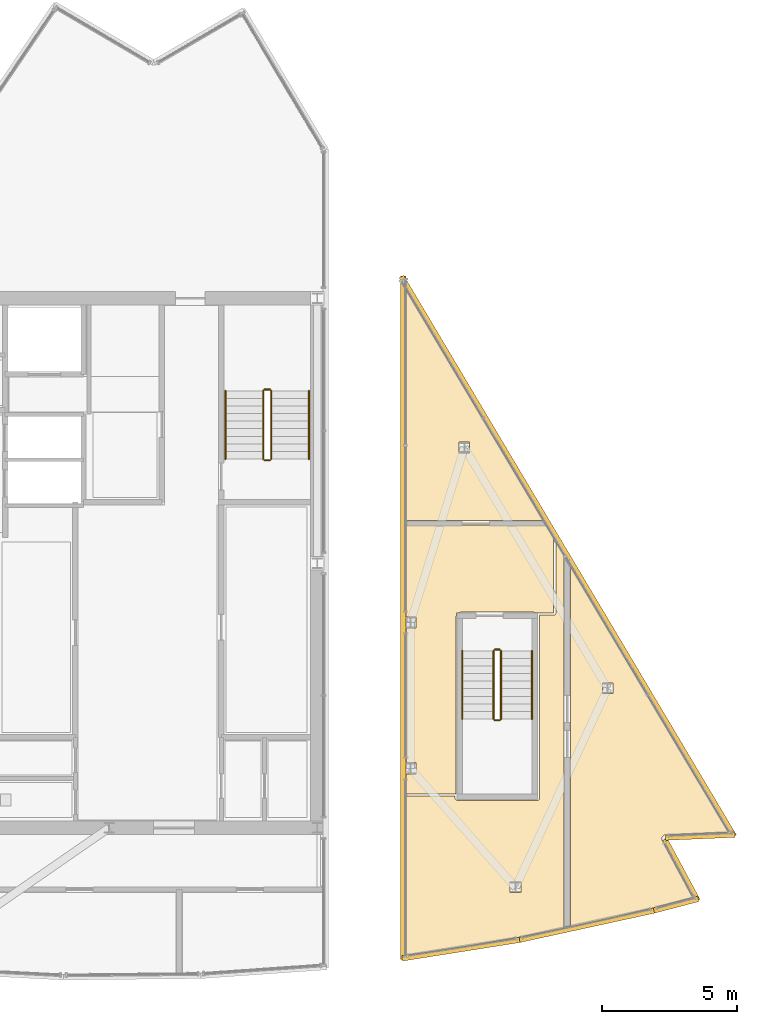
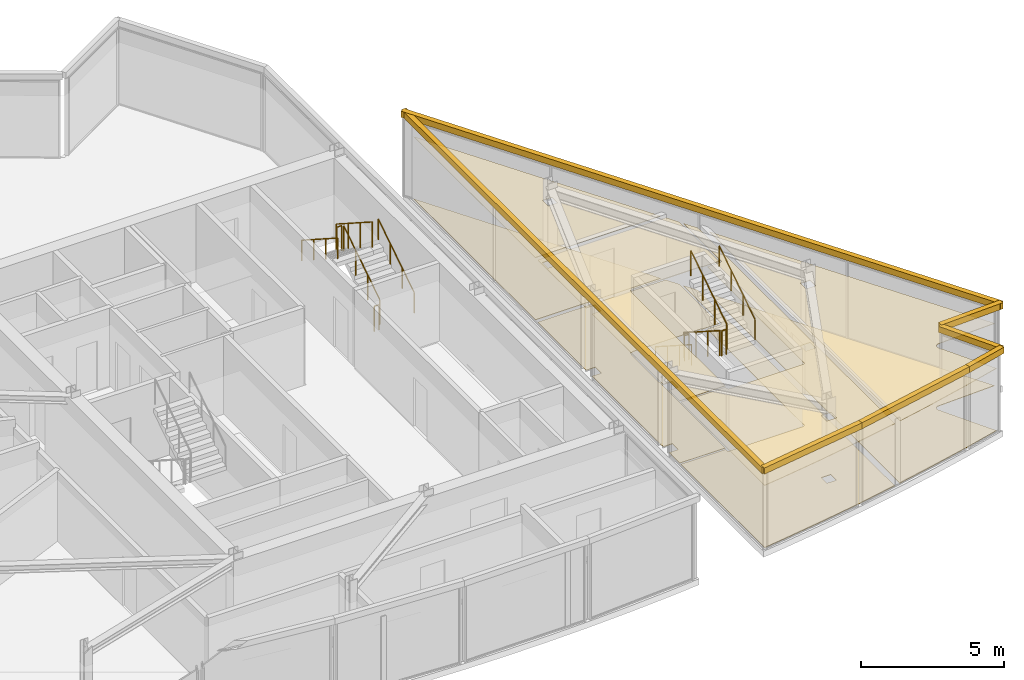
# One storey, part 13 of 15: 15 coverings, 12 railings.
"""IFC4 building model written with IfcOpenShell, lengths in metres."""

import ifcopenshell
import ifcopenshell.guid

model = None  # the IFC model being written
_history = None  # IfcOwnerHistory: only IFC2X3 demands one
_inside = {}  # id of a spatial element -> (the spatial element, [elements in it])
_under = {}  # id of a project, library or spatial element -> (it, [spatial elements below it])
_declared = {}  # id of a project -> (the project, [libraries it declares])
_typed = {}  # id of a type object -> (the type object, [elements of that type])
_made_of = {}  # id of a material, layer set ... -> (it, [elements and type objects made of it])


def new_model(schema):
    """Start an empty IFC model of exactly this schema.

    Asked for "IFC4X3", IfcOpenShell would pick the latest addendum, in which some entities
    have other attributes; the version numbers below select the first issue.
    IFC2X3 requires an IfcOwnerHistory on every rooted entity: one is made here for all.
    """
    global model, _history
    if schema == "IFC4X3":
        model = ifcopenshell.file(schema_version=(4, 3, 0, 0))
    else:
        model = ifcopenshell.file(schema=schema)
    _inside.clear()
    _under.clear()
    _declared.clear()
    _typed.clear()
    _made_of.clear()
    _history = None
    if model.schema == "IFC2X3":
        org = make("IfcOrganization", Name="unknown")
        user = make(
            "IfcPersonAndOrganization",
            ThePerson=make("IfcPerson", FamilyName="unknown"),
            TheOrganization=org,
        )
        app = make(
            "IfcApplication",
            ApplicationDeveloper=org,
            Version="unknown",
            ApplicationFullName="unknown",
            ApplicationIdentifier="unknown",
        )
        _history = make(
            "IfcOwnerHistory",
            OwningUser=user,
            OwningApplication=app,
            ChangeAction="ADDED",
            CreationDate=0,
        )
    return model


def make(cls, **values):
    """One entity of the class cls with the attributes given. An attribute that is None is left unset."""
    return model.create_entity(
        cls, **{name: value for name, value in values.items() if value is not None}
    )


def rooted(cls, **values):
    """An entity with a GlobalId (a new one), such as an element, a storey or a relation."""
    return make(cls, GlobalId=ifcopenshell.guid.new(), OwnerHistory=_history, **values)


def si_unit(unit_type, name, prefix=None):
    """IfcSIUnit, for example si_unit("LENGTHUNIT", "METRE", prefix="MILLI")."""
    return make("IfcSIUnit", UnitType=unit_type, Prefix=prefix, Name=name)


def assignment(units):
    """IfcUnitAssignment: the units of a project."""
    return None if units is None else make("IfcUnitAssignment", Units=units)


def point(xyz):
    """IfcCartesianPoint."""
    return None if xyz is None else make("IfcCartesianPoint", Coordinates=xyz)


def direction(xyz):
    """IfcDirection."""
    return None if xyz is None else make("IfcDirection", DirectionRatios=xyz)


def frame(location, z_axis=None, x_axis=None):
    """IfcAxis2Placement3D, a coordinate frame: its origin and axes. An axis left out is left unset."""
    return make(
        "IfcAxis2Placement3D",
        Location=point(location),
        Axis=direction(z_axis),
        RefDirection=direction(x_axis),
    )


def frame_2d(location, x_axis=None):
    """IfcAxis2Placement2D, a coordinate frame in the plane: its origin and x axis."""
    return make(
        "IfcAxis2Placement2D", Location=point(location), RefDirection=direction(x_axis)
    )


def origin():
    """The frame at (0, 0, 0) with its axes left unset."""
    return frame((0.0, 0.0, 0.0))


def origin_2d():
    """The frame at (0, 0) in the plane with its x axis left unset."""
    return frame_2d((0.0, 0.0))


def place(relative_to, where):
    """IfcLocalPlacement: puts the frame where relative to a parent placement (None: the world)."""
    return make(
        "IfcLocalPlacement", PlacementRelTo=relative_to, RelativePlacement=where
    )


def context(
    kind, dimensions, precision=None, world=None, true_north=None, identifier=None
):
    """IfcGeometricRepresentationContext, for example the 3D "Model" context."""
    return make(
        "IfcGeometricRepresentationContext",
        ContextIdentifier=identifier,
        ContextType=kind,
        CoordinateSpaceDimension=dimensions,
        Precision=precision,
        WorldCoordinateSystem=world,
        TrueNorth=true_north,
    )


def subcontext(parent, identifier, kind, view, scale=None):
    """IfcGeometricRepresentationSubContext, for example "Body" below "Model"."""
    return make(
        "IfcGeometricRepresentationSubContext",
        ContextIdentifier=identifier,
        ContextType=kind,
        ParentContext=parent,
        TargetScale=scale,
        TargetView=view,
    )


def project(units=None, contexts=None):
    """IfcProject with its units and contexts."""
    return rooted(
        "IfcProject",
        Name="project",
        RepresentationContexts=contexts,
        UnitsInContext=assignment(units),
    )


def spatial(cls, under=None, at=None, **own):
    """A site, building, storey or space (cls), placed at a placement, below another one or the project."""
    s = rooted(cls, ObjectPlacement=at, **own)
    if under is not None:
        _under.setdefault(under.id(), (under, []))[1].append(s)
    return s


def polyline(points):
    """IfcPolyline through the points."""
    return make("IfcPolyline", Points=[point(p) for p in points])


def profile(cls, at=None, kind="AREA", **sizes):
    """A parametric profile (cls). Its sizes go by their IFC names, for example OverallWidth=200.0."""
    return make(cls, ProfileType=kind, Position=at, **sizes)


def circle(**sizes):
    """IfcCircleProfileDef."""
    return profile("IfcCircleProfileDef", **sizes)


def outline(outer, holes=None, kind="AREA"):
    """IfcArbitraryClosedProfileDef: a profile drawn as a closed curve; with holes, ...WithVoids."""
    if holes is None:
        return make("IfcArbitraryClosedProfileDef", ProfileType=kind, OuterCurve=outer)
    return make(
        "IfcArbitraryProfileDefWithVoids",
        ProfileType=kind,
        OuterCurve=outer,
        InnerCurves=holes,
    )


def extrude(swept, where, along, depth):
    """IfcExtrudedAreaSolid: the profile swept, set in the frame where, extruded along a direction by depth."""
    return make(
        "IfcExtrudedAreaSolid",
        SweptArea=swept,
        Position=where,
        ExtrudedDirection=direction(along),
        Depth=depth,
    )


def shape(context_of_items, identifier, shape_type, items):
    """IfcShapeRepresentation: the items that make up one representation, for example the "Body"."""
    return make(
        "IfcShapeRepresentation",
        ContextOfItems=context_of_items,
        RepresentationIdentifier=identifier,
        RepresentationType=shape_type,
        Items=items,
    )


def material(Name=None, Category=None):
    """IfcMaterial."""
    return make("IfcMaterial", Name=Name, Category=Category)


def layer(
    of_material, thickness, ventilated=None, Name=None, Category=None, Priority=None
):
    """IfcMaterialLayer: one layer of a wall or slab, of a material (None: an air gap)."""
    return make(
        "IfcMaterialLayer",
        Material=of_material,
        LayerThickness=thickness,
        IsVentilated=ventilated,
        Name=Name,
        Category=Category,
        Priority=Priority,
    )


def layer_set(layers, Name=None):
    """IfcMaterialLayerSet."""
    return make("IfcMaterialLayerSet", MaterialLayers=layers, LayerSetName=Name)


def made_of(thing, what):
    """Note that an element or type object is made of a material, layer set ...; save() writes the relation."""
    if what is not None:
        _made_of.setdefault(what.id(), (what, []))[1].append(thing)
    return thing


def type_object(cls, material=None, **own):
    """A type object (cls), such as IfcWallType, which elements share."""
    return made_of(rooted(cls, **own), material)


def element(
    cls,
    number,
    at=None,
    inside=None,
    cuts=None,
    type_object=None,
    material=None,
    context=None,
    identifier="Body",
    shape_type=None,
    held_by="IfcProductDefinitionShape",
    body=None,
    shapes=None,
    **own,
):
    """One element of the class cls, such as IfcWall. Its Tag is "e" and its number.

    at: its placement. inside: the storey or other place that contains it. cuts: it is an
    opening in that element (IfcRelVoidsElement). A single representation is given by context,
    identifier, shape_type and body (its items); several are given by shapes. held_by: the class
    of the entity that holds the representations. save() writes the other relations.
    """
    e = rooted(cls, Tag="e%d" % number, ObjectPlacement=at, **own)
    if body is not None:
        shapes = [shape(context, identifier, shape_type, body)]
    if shapes is not None:
        e.Representation = make(held_by, Representations=shapes)
    if inside is not None:
        _inside.setdefault(inside.id(), (inside, []))[1].append(e)
    if cuts is not None:
        rooted(
            "IfcRelVoidsElement", RelatingBuildingElement=cuts, RelatedOpeningElement=e
        )
    if type_object is not None:
        _typed.setdefault(type_object.id(), (type_object, []))[1].append(e)
    return made_of(e, material)


def aggregate(whole, parts):
    """IfcRelAggregates: a whole, such as a stair, and the parts it consists of."""
    return rooted("IfcRelAggregates", RelatingObject=whole, RelatedObjects=parts)


def save(model, path):
    """Write the relations noted so far, then the file.

    IfcRelAggregates (storeys below a building ...), IfcRelContainedInSpatialStructure (elements
    in a storey), IfcRelDefinesByType, IfcRelAssociatesMaterial and IfcRelDeclares: one each for
    every whole, place, type object, material and project.
    """
    for whole, parts in _under.values():
        aggregate(whole, parts)
    for where, things in _inside.values():
        rooted(
            "IfcRelContainedInSpatialStructure",
            RelatedElements=things,
            RelatingStructure=where,
        )
    for kind, things in _typed.values():
        rooted("IfcRelDefinesByType", RelatedObjects=things, RelatingType=kind)
    for what, things in _made_of.values():
        rooted("IfcRelAssociatesMaterial", RelatedObjects=things, RelatingMaterial=what)
    for by, libraries in _declared.values():
        rooted("IfcRelDeclares", RelatingContext=by, RelatedDefinitions=libraries)
    model.write(path)


model = new_model("IFC4")

# Units and contexts
model_context = context("Model", 3, precision=1e-05, world=origin(), true_north=direction((0.0, 1.0)))
body_context = subcontext(model_context, "Body", "Model", "MODEL_VIEW")
ifc_project = project(units=[si_unit("LENGTHUNIT", "METRE"), si_unit("AREAUNIT", "SQUARE_METRE"), si_unit("VOLUMEUNIT", "CUBIC_METRE"), si_unit("PLANEANGLEUNIT", "RADIAN"), si_unit("MASSUNIT", "GRAM", prefix="KILO")], contexts=[model_context])

# Site, building, storey
site_placement = place(None, origin())
site = spatial("IfcSite", under=ifc_project, at=site_placement, CompositionType="ELEMENT")
building_placement = place(site_placement, origin())
building = spatial("IfcBuilding", under=site, at=building_placement, Name="Savorim Split Tower", CompositionType="ELEMENT")
storey_placement = place(building_placement, frame((0.0, 0.0, 308.39990234375)))
storey = spatial("IfcBuildingStorey", under=building, at=storey_placement, Name="Crown L82 Plant", CompositionType="ELEMENT", Elevation=308.39990234375)

# Coverings
ifc_material_1 = material(Name="Mineral Fibre Acoustic Ceiling")
ifc_layer_1 = layer(ifc_material_1, 0.02490234375)
ifc_layer_set_1 = layer_set([ifc_layer_1], Name="COV-CEIL-25")
covering_type_1 = type_object("IfcCoveringType", Name="COV-CEIL-25", PredefinedType="CEILING", material=ifc_layer_set_1)
covering_1_placement = place(storey_placement, frame((0.0, 0.0, 2.66015625)))
element("IfcCovering", 1, at=covering_1_placement, inside=storey, type_object=covering_type_1, Name="Crown L82 Plant East Crown Plant Corridor Acoustic Ceiling", PredefinedType="CEILING", context=body_context, shape_type="SweptSolid", body=[
    extrude(outline(polyline([(16.16650390625, 1.800048828125), (12.860107421875, 1.800048828125), (10.989990234375, 1.800048828125), (10.989990234375, -1.590087890625), (11.360107421875, -1.590087890625), (11.360107421875, -2.010009765625), (10.989990234375, -2.010009765625), (10.989990234375, -6.989990234375), (11.360107421875, -6.989990234375), (11.360107421875, -7.409912109375), (10.989990234375, -7.409912109375), (10.989990234375, -8.14990234375), (12.840087890625, -8.14990234375), (12.840087890625, -1.60009765625), (12.8408203125, -1.58251953125), (12.843505859375, -1.56494140625), (12.847900390625, -1.547607421875), (12.853759765625, -1.531005859375), (12.860107421875, -1.517822265625), (12.860107421875, -1.449951171875), (12.920654296875, -1.449951171875), (12.93505859375, -1.44140625), (12.951171875, -1.43359375), (12.9677734375, -1.427734375), (12.98486328125, -1.423583984375), (13.00244140625, -1.4208984375), (13.02001953125, -1.419921875), (15.699951171875, -1.419921875), (15.717529296875, -1.4208984375), (15.735107421875, -1.423583984375), (15.752197265625, -1.427734375), (15.768798828125, -1.43359375), (15.784912109375, -1.44140625), (15.79931640625, -1.449951171875), (16.449951171875, -1.449951171875), (16.449951171875, 1.322998046875), (16.16650390625, 1.800048828125)])), origin(), (0.0, 0.0, 1.0), 0.02490234375),
])
covering_2_placement = place(storey_placement, frame((0.0, 0.0, 2.66015625)))
element("IfcCovering", 2, at=covering_2_placement, inside=storey, type_object=covering_type_1, Name="Crown L82 Plant East Cooling Plant Room Acoustic Ceiling", PredefinedType="CEILING", context=body_context, shape_type="SweptSolid", body=[
    extrude(outline(polyline([(11.823486328125, -13.998779296875), (13.49853515625, -13.73974609375), (15.167724609375, -13.446533203125), (16.830078125, -13.119140625), (16.830078125, 0.541015625), (16.830078125, 0.660888671875), (16.84375, 0.660888671875), (16.530029296875, 1.1884765625), (16.530029296875, -1.449951171875), (16.529541015625, -1.457763671875), (16.528564453125, -1.465576171875), (16.526611328125, -1.47314453125), (16.52392578125, -1.480712890625), (16.5205078125, -1.48779296875), (16.5166015625, -1.494384765625), (16.51171875, -1.500732421875), (16.506591796875, -1.506591796875), (16.500732421875, -1.51171875), (16.494384765625, -1.5166015625), (16.48779296875, -1.5205078125), (16.480712890625, -1.52392578125), (16.47314453125, -1.526611328125), (16.465576171875, -1.528564453125), (16.457763671875, -1.529541015625), (16.449951171875, -1.530029296875), (15.929931640625, -1.530029296875), (15.929931640625, -8.300048828125), (15.9296875, -8.307861328125), (15.928466796875, -8.315673828125), (15.926513671875, -8.3232421875), (15.923828125, -8.33056640625), (15.920654296875, -8.337646484375), (15.91650390625, -8.344482421875), (15.911865234375, -8.350830078125), (15.906494140625, -8.356689453125), (15.90087890625, -8.36181640625), (15.894287109375, -8.366455078125), (15.8876953125, -8.37060546875), (15.880615234375, -8.373779296875), (15.873291015625, -8.376708984375), (15.865478515625, -8.37841796875), (15.85791015625, -8.379638671875), (15.85009765625, -8.3798828125), (12.8798828125, -8.3798828125), (12.872314453125, -8.379638671875), (12.864501953125, -8.37841796875), (12.856689453125, -8.376708984375), (12.849365234375, -8.373779296875), (12.84228515625, -8.37060546875), (12.835693359375, -8.366455078125), (12.8291015625, -8.36181640625), (12.823486328125, -8.356689453125), (12.818115234375, -8.350830078125), (12.8134765625, -8.344482421875), (12.809326171875, -8.337646484375), (12.80615234375, -8.33056640625), (12.803466796875, -8.3232421875), (12.801513671875, -8.315673828125), (12.80029296875, -8.307861328125), (12.800048828125, -8.300048828125), (12.800048828125, -8.22998046875), (10.989990234375, -8.22998046875), (10.989990234375, -14.1103515625), (11.823486328125, -13.998779296875)]), holes=[polyline([(14.84228515625, -11.406494140625), (14.84228515625, -11.79638671875), (15.232177734375, -11.79638671875), (15.232177734375, -11.406494140625), (14.84228515625, -11.406494140625)])]), origin(), (0.0, 0.0, 1.0), 0.02490234375),
])
covering_3_placement = place(storey_placement, frame((0.0, 0.0, 2.66015625)))
element("IfcCovering", 3, at=covering_3_placement, inside=storey, type_object=covering_type_1, Name="Crown L82 Plant East Heat Recovery AHU Plant Room Acoustic Ceiling", PredefinedType="CEILING", context=body_context, shape_type="SweptSolid", body=[
    extrude(outline(polyline([(20.54931640625, -9.669189453125), (20.56201171875, -9.66552734375), (20.5751953125, -9.6630859375), (20.588623046875, -9.661865234375), (22.9228515625, -9.5625), (17.070068359375, 0.280517578125), (17.070068359375, -13.06689453125), (18.486572265625, -12.7578125), (20.134765625, -12.362548828125), (21.603759765625, -11.978271484375), (20.47119140625, -9.867919921875), (20.465576171875, -9.855712890625), (20.4609375, -9.843017578125), (20.45751953125, -9.830078125), (20.45556640625, -9.816650390625), (20.45458984375, -9.80322265625), (20.455078125, -9.789794921875), (20.45703125, -9.776611328125), (20.4599609375, -9.763427734375), (20.46435546875, -9.75048828125), (20.469970703125, -9.73828125), (20.4765625, -9.7265625), (20.484375, -9.715576171875), (20.4931640625, -9.705322265625), (20.502685546875, -9.696044921875), (20.513427734375, -9.687744140625), (20.524658203125, -9.680419921875), (20.53662109375, -9.67431640625), (20.54931640625, -9.669189453125)]), holes=[polyline([(18.250732421875, -4.044921875), (18.250732421875, -4.434814453125), (18.640625, -4.434814453125), (18.640625, -4.044921875), (18.250732421875, -4.044921875)])]), origin(), (0.0, 0.0, 1.0), 0.02490234375),
])
covering_4_placement = place(storey_placement, frame((0.0, 0.0, 2.66015625)))
element("IfcCovering", 4, at=covering_4_placement, inside=storey, type_object=covering_type_1, Name="Crown L82 Plant East Cooling Plant Room Acoustic Ceiling", PredefinedType="CEILING", context=body_context, shape_type="SweptSolid", body=[
    extrude(outline(polyline([(10.989990234375, 10.50537109375), (10.989990234375, 1.969970703125), (16.065185546875, 1.969970703125), (10.989990234375, 10.50537109375)]), holes=[polyline([(12.94921875, 4.87060546875), (12.94921875, 4.480712890625), (13.33935546875, 4.480712890625), (13.33935546875, 4.87060546875), (12.94921875, 4.87060546875)])]), origin(), (0.0, 0.0, 1.0), 0.02490234375),
])
ifc_material_2 = material(Name="Terracotta Ceramic-Coated Aluminium Fin", Category="masonry")
ifc_layer_2 = layer(ifc_material_2, 0.050048828125)
ifc_layer_set_2 = layer_set([ifc_layer_2], Name="COV-CLAD-TERRA")
covering_type_2 = type_object("IfcCoveringType", Name="COV-CLAD-TERRA", PredefinedType="CLADDING", material=ifc_layer_set_2)
covering_5_placement = place(storey_placement, frame((0.0, 0.0, 3.340087890625)))
element("IfcCovering", 5, at=covering_5_placement, inside=storey, type_object=covering_type_2, Name="Crown L82 Plant Sloped Crest Eave Spandrel E1", PredefinedType="CLADDING", context=body_context, shape_type="SweptSolid", body=[
    extrude(outline(polyline([(10.7900390625, 11.0146484375), (10.7900390625, -14.2705078125), (10.989990234375, -14.2705078125), (10.989990234375, 11.0146484375), (10.7900390625, 11.0146484375)])), origin(), (0.0, 0.0, 1.0), 0.260009765625),
])
covering_6_placement = place(storey_placement, frame((0.0, 0.0, 3.340087890625)))
element("IfcCovering", 6, at=covering_6_placement, inside=storey, type_object=covering_type_2, Name="Crown L82 Plant Sloped Crest Eave Spandrel E2", PredefinedType="CLADDING", context=body_context, shape_type="SweptSolid", body=[
    extrude(outline(polyline([(10.859375, -14.32958984375), (15.202880859375, -13.643310546875), (15.17138671875, -13.44580078125), (10.828125, -14.132080078125), (10.859375, -14.32958984375)])), origin(), (0.0, 0.0, 1.0), 0.260009765625),
])
covering_7_placement = place(storey_placement, frame((0.0, 0.0, 3.340087890625)))
element("IfcCovering", 7, at=covering_7_placement, inside=storey, type_object=covering_type_2, Name="Crown L82 Plant Sloped Crest Eave Spandrel E3", PredefinedType="CLADDING", context=body_context, shape_type="SweptSolid", body=[
    extrude(outline(polyline([(15.206298828125, -13.642578125), (20.181396484375, -12.556884765625), (20.138916015625, -12.361572265625), (15.16357421875, -13.447265625), (15.206298828125, -13.642578125)])), origin(), (0.0, 0.0, 1.0), 0.260009765625),
])
covering_8_placement = place(storey_placement, frame((0.0, 0.0, 3.340087890625)))
element("IfcCovering", 8, at=covering_8_placement, inside=storey, type_object=covering_type_2, Name="Crown L82 Plant Sloped Crest Eave Spandrel E4", PredefinedType="CLADDING", context=body_context, shape_type="SweptSolid", body=[
    extrude(outline(polyline([(20.183837890625, -12.556396484375), (21.826416015625, -12.126708984375), (21.77587890625, -11.933349609375), (20.13330078125, -12.36279296875), (20.183837890625, -12.556396484375)])), origin(), (0.0, 0.0, 1.0), 0.260009765625),
])
covering_9_placement = place(storey_placement, frame((0.0, 0.0, 3.340087890625)))
element("IfcCovering", 9, at=covering_9_placement, inside=storey, type_object=covering_type_2, Name="Crown L82 Plant Sloped Crest Eave Spandrel E5", PredefinedType="CLADDING", context=body_context, shape_type="SweptSolid", body=[
    extrude(outline(polyline([(21.864013671875, -12.040283203125), (20.647705078125, -9.773193359375), (20.47119140625, -9.867919921875), (21.687744140625, -12.135009765625), (21.864013671875, -12.040283203125)])), origin(), (0.0, 0.0, 1.0), 0.260009765625),
])
covering_10_placement = place(storey_placement, frame((0.0, 0.0, 3.340087890625)))
element("IfcCovering", 10, at=covering_10_placement, inside=storey, type_object=covering_type_2, Name="Crown L82 Plant Sloped Crest Eave Spandrel E6", PredefinedType="CLADDING", context=body_context, shape_type="SweptSolid", body=[
    extrude(outline(polyline([(20.597412109375, -9.861572265625), (23.16552734375, -9.752197265625), (23.156982421875, -9.552490234375), (20.588623046875, -9.661865234375), (20.597412109375, -9.861572265625)])), origin(), (0.0, 0.0, 1.0), 0.260009765625),
])
covering_11_placement = place(storey_placement, frame((0.0, 0.0, 3.340087890625)))
element("IfcCovering", 11, at=covering_11_placement, inside=storey, type_object=covering_type_2, Name="Crown L82 Plant Sloped Crest Eave Spandrel E7", PredefinedType="CLADDING", context=body_context, shape_type="SweptSolid", body=[
    extrude(outline(polyline([(23.214599609375, -9.66162109375), (10.901611328125, 11.04541015625), (10.729736328125, 10.943115234375), (23.04248046875, -9.763916015625), (23.214599609375, -9.66162109375)])), origin(), (0.0, 0.0, 1.0), 0.260009765625),
])
ifc_material_3 = material(Name="Porcelain Stoneware Flooring", Category="masonry")
ifc_layer_3 = layer(ifc_material_3, 0.02001953125)
ifc_layer_set_3 = layer_set([ifc_layer_3], Name="COV-FLOR-20")
covering_type_3 = type_object("IfcCoveringType", Name="COV-FLOR-20", PredefinedType="FLOORING", material=ifc_layer_set_3)
covering_12_placement = place(storey_placement, origin())
element("IfcCovering", 12, at=covering_12_placement, inside=storey, type_object=covering_type_3, Name="Crown L82 Plant East Crown Plant Corridor Porcelain Flooring", PredefinedType="FLOORING", context=body_context, shape_type="SweptSolid", body=[
    extrude(outline(polyline([(16.16650390625, 1.800048828125), (12.860107421875, 1.800048828125), (10.989990234375, 1.800048828125), (10.989990234375, -1.590087890625), (11.360107421875, -1.590087890625), (11.360107421875, -2.010009765625), (10.989990234375, -2.010009765625), (10.989990234375, -6.989990234375), (11.360107421875, -6.989990234375), (11.360107421875, -7.409912109375), (10.989990234375, -7.409912109375), (10.989990234375, -8.14990234375), (12.840087890625, -8.14990234375), (12.840087890625, -1.60009765625), (12.8408203125, -1.58251953125), (12.843505859375, -1.56494140625), (12.847900390625, -1.547607421875), (12.853759765625, -1.531005859375), (12.860107421875, -1.517822265625), (12.860107421875, -1.449951171875), (12.920654296875, -1.449951171875), (12.93505859375, -1.44140625), (12.951171875, -1.43359375), (12.9677734375, -1.427734375), (12.98486328125, -1.423583984375), (13.00244140625, -1.4208984375), (13.02001953125, -1.419921875), (15.699951171875, -1.419921875), (15.717529296875, -1.4208984375), (15.735107421875, -1.423583984375), (15.752197265625, -1.427734375), (15.768798828125, -1.43359375), (15.784912109375, -1.44140625), (15.79931640625, -1.449951171875), (16.449951171875, -1.449951171875), (16.449951171875, 1.322998046875), (16.16650390625, 1.800048828125)])), origin(), (0.0, 0.0, 1.0), 0.02001953125),
])
covering_13_placement = place(storey_placement, origin())
element("IfcCovering", 13, at=covering_13_placement, inside=storey, type_object=covering_type_3, Name="Crown L82 Plant East Cooling Plant Room Porcelain Flooring", PredefinedType="FLOORING", context=body_context, shape_type="SweptSolid", body=[
    extrude(outline(polyline([(11.823486328125, -13.998779296875), (13.49853515625, -13.73974609375), (15.167724609375, -13.446533203125), (16.830078125, -13.119140625), (16.830078125, 0.541015625), (16.830078125, 0.660888671875), (16.84375, 0.660888671875), (16.530029296875, 1.1884765625), (16.530029296875, -1.449951171875), (16.529541015625, -1.457763671875), (16.528564453125, -1.465576171875), (16.526611328125, -1.47314453125), (16.52392578125, -1.480712890625), (16.5205078125, -1.48779296875), (16.5166015625, -1.494384765625), (16.51171875, -1.500732421875), (16.506591796875, -1.506591796875), (16.500732421875, -1.51171875), (16.494384765625, -1.5166015625), (16.48779296875, -1.5205078125), (16.480712890625, -1.52392578125), (16.47314453125, -1.526611328125), (16.465576171875, -1.528564453125), (16.457763671875, -1.529541015625), (16.449951171875, -1.530029296875), (15.929931640625, -1.530029296875), (15.929931640625, -8.300048828125), (15.9296875, -8.307861328125), (15.928466796875, -8.315673828125), (15.926513671875, -8.3232421875), (15.923828125, -8.33056640625), (15.920654296875, -8.337646484375), (15.91650390625, -8.344482421875), (15.911865234375, -8.350830078125), (15.906494140625, -8.356689453125), (15.90087890625, -8.36181640625), (15.894287109375, -8.366455078125), (15.8876953125, -8.37060546875), (15.880615234375, -8.373779296875), (15.873291015625, -8.376708984375), (15.865478515625, -8.37841796875), (15.85791015625, -8.379638671875), (15.85009765625, -8.3798828125), (12.8798828125, -8.3798828125), (12.872314453125, -8.379638671875), (12.864501953125, -8.37841796875), (12.856689453125, -8.376708984375), (12.849365234375, -8.373779296875), (12.84228515625, -8.37060546875), (12.835693359375, -8.366455078125), (12.8291015625, -8.36181640625), (12.823486328125, -8.356689453125), (12.818115234375, -8.350830078125), (12.8134765625, -8.344482421875), (12.809326171875, -8.337646484375), (12.80615234375, -8.33056640625), (12.803466796875, -8.3232421875), (12.801513671875, -8.315673828125), (12.80029296875, -8.307861328125), (12.800048828125, -8.300048828125), (12.800048828125, -8.22998046875), (10.989990234375, -8.22998046875), (10.989990234375, -14.1103515625), (11.823486328125, -13.998779296875)]), holes=[polyline([(14.84228515625, -11.406494140625), (14.84228515625, -11.79638671875), (15.232177734375, -11.79638671875), (15.232177734375, -11.406494140625), (14.84228515625, -11.406494140625)])]), origin(), (0.0, 0.0, 1.0), 0.02001953125),
])
covering_14_placement = place(storey_placement, origin())
element("IfcCovering", 14, at=covering_14_placement, inside=storey, type_object=covering_type_3, Name="Crown L82 Plant East Heat Recovery AHU Plant Room Porcelain Flooring", PredefinedType="FLOORING", context=body_context, shape_type="SweptSolid", body=[
    extrude(outline(polyline([(20.54931640625, -9.669189453125), (20.56201171875, -9.66552734375), (20.5751953125, -9.6630859375), (20.588623046875, -9.661865234375), (22.9228515625, -9.5625), (17.070068359375, 0.280517578125), (17.070068359375, -13.06689453125), (18.486572265625, -12.7578125), (20.134765625, -12.362548828125), (21.603759765625, -11.978271484375), (20.47119140625, -9.867919921875), (20.465576171875, -9.855712890625), (20.4609375, -9.843017578125), (20.45751953125, -9.830078125), (20.45556640625, -9.816650390625), (20.45458984375, -9.80322265625), (20.455078125, -9.789794921875), (20.45703125, -9.776611328125), (20.4599609375, -9.763427734375), (20.46435546875, -9.75048828125), (20.469970703125, -9.73828125), (20.4765625, -9.7265625), (20.484375, -9.715576171875), (20.4931640625, -9.705322265625), (20.502685546875, -9.696044921875), (20.513427734375, -9.687744140625), (20.524658203125, -9.680419921875), (20.53662109375, -9.67431640625), (20.54931640625, -9.669189453125)]), holes=[polyline([(18.250732421875, -4.044921875), (18.250732421875, -4.434814453125), (18.640625, -4.434814453125), (18.640625, -4.044921875), (18.250732421875, -4.044921875)])]), origin(), (0.0, 0.0, 1.0), 0.02001953125),
])
covering_15_placement = place(storey_placement, origin())
element("IfcCovering", 15, at=covering_15_placement, inside=storey, type_object=covering_type_3, Name="Crown L82 Plant East Cooling Plant Room Porcelain Flooring", PredefinedType="FLOORING", context=body_context, shape_type="SweptSolid", body=[
    extrude(outline(polyline([(10.989990234375, 10.50537109375), (10.989990234375, 1.969970703125), (16.065185546875, 1.969970703125), (10.989990234375, 10.50537109375)]), holes=[polyline([(12.94921875, 4.87060546875), (12.94921875, 4.480712890625), (13.33935546875, 4.480712890625), (13.33935546875, 4.87060546875), (12.94921875, 4.87060546875)])]), origin(), (0.0, 0.0, 1.0), 0.02001953125),
])

# Railings
ifc_material_4 = material(Name="Galvanised Painted Steel Balustrade", Category="steel")
railing_type_1 = type_object("IfcRailingType", Name="RLG-HR-900", PredefinedType="HANDRAIL", material=ifc_material_4)
railing_1_placement = place(storey_placement, frame((7.39990234375, 4.25, 0.18017578125)))
element("IfcRailing", 16, at=railing_1_placement, inside=storey, type_object=railing_type_1, Name="Crown L82 Plant ST-2 stair handrail 1", PredefinedType="HANDRAIL", context=body_context, shape_type="SweptSolid", body=[
    extrude(circle(Radius=0.02392578125, at=origin_2d()), frame((0.0, 0.0, 0.8759765625), z_axis=(0.0, 0.841199657755, 0.540724639528), x_axis=(-1.0, 0.0, 0.0)), (0.0, 0.0, 1.0), 2.995849609375),
    extrude(circle(Radius=0.02099609375, at=origin_2d()), origin(), (0.0, 0.0, 1.0), 0.851806640625),
    extrude(circle(Radius=0.02099609375, at=origin_2d()), frame((0.0, 0.840087890625, 0.5400390625)), (0.0, 0.0, 1.0), 0.851806640625),
    extrude(circle(Radius=0.02099609375, at=origin_2d()), frame((0.0, 1.679931640625, 1.079833984375)), (0.0, 0.0, 1.0), 0.851806640625),
    extrude(circle(Radius=0.02099609375, at=origin_2d()), frame((0.0, 2.52001953125, 1.619873046875)), (0.0, 0.0, 1.0), 0.851806640625),
])
railing_2_placement = place(storey_placement, frame((4.300048828125, 6.77001953125, 1.97998046875)))
element("IfcRailing", 17, at=railing_2_placement, inside=storey, type_object=railing_type_1, Name="Crown L82 Plant ST-2 stair handrail 2", PredefinedType="HANDRAIL", context=body_context, shape_type="SweptSolid", body=[
    extrude(circle(Radius=0.02392578125, at=origin_2d()), frame((0.0, 0.0, 0.8759765625), z_axis=(0.0, -0.841162588446, 0.540782303519), x_axis=(1.0, 0.0, 0.0)), (0.0, 0.0, 1.0), 2.995849609375),
    extrude(circle(Radius=0.02099609375, at=origin_2d()), origin(), (0.0, 0.0, 1.0), 0.851806640625),
    extrude(circle(Radius=0.02099609375, at=origin_2d()), frame((0.0, -0.840087890625, 0.5400390625)), (0.0, 0.0, 1.0), 0.851806640625),
    extrude(circle(Radius=0.02099609375, at=origin_2d()), frame((0.0, -1.679931640625, 1.080078125)), (0.0, 0.0, 1.0), 0.851806640625),
    extrude(circle(Radius=0.02099609375, at=origin_2d()), frame((0.0, -2.52001953125, 1.6201171875)), (0.0, 0.0, 1.0), 0.851806640625),
])
railing_3_placement = place(storey_placement, frame((13.070068359375, -2.85009765625, 0.18017578125)))
element("IfcRailing", 18, at=railing_3_placement, inside=storey, type_object=railing_type_1, Name="Crown L82 Plant ST-CRN-E stair handrail 1", PredefinedType="HANDRAIL", context=body_context, shape_type="SweptSolid", body=[
    extrude(circle(Radius=0.02392578125, at=origin_2d()), frame((0.0, 0.0, 0.8759765625), z_axis=(0.0, -0.841199657755, 0.540724639528), x_axis=(1.0, 0.0, 0.0)), (0.0, 0.0, 1.0), 2.995849609375),
    extrude(circle(Radius=0.02099609375, at=origin_2d()), origin(), (0.0, 0.0, 1.0), 0.851806640625),
    extrude(circle(Radius=0.02099609375, at=origin_2d()), frame((0.0, -0.840087890625, 0.5400390625)), (0.0, 0.0, 1.0), 0.851806640625),
    extrude(circle(Radius=0.02099609375, at=origin_2d()), frame((0.0, -1.679931640625, 1.079833984375)), (0.0, 0.0, 1.0), 0.851806640625),
    extrude(circle(Radius=0.02099609375, at=origin_2d()), frame((0.0, -2.52001953125, 1.619873046875)), (0.0, 0.0, 1.0), 0.851806640625),
])
railing_4_placement = place(storey_placement, frame((15.64990234375, -5.3701171875, 1.97998046875)))
element("IfcRailing", 19, at=railing_4_placement, inside=storey, type_object=railing_type_1, Name="Crown L82 Plant ST-CRN-E stair handrail 2", PredefinedType="HANDRAIL", context=body_context, shape_type="SweptSolid", body=[
    extrude(circle(Radius=0.02392578125, at=origin_2d()), frame((0.0, 0.0, 0.8759765625), z_axis=(0.0, 0.841162588446, 0.540782303519), x_axis=(-1.0, 0.0, 0.0)), (0.0, 0.0, 1.0), 2.995849609375),
    extrude(circle(Radius=0.02099609375, at=origin_2d()), origin(), (0.0, 0.0, 1.0), 0.851806640625),
    extrude(circle(Radius=0.02099609375, at=origin_2d()), frame((0.0, 0.840087890625, 0.5400390625)), (0.0, 0.0, 1.0), 0.851806640625),
    extrude(circle(Radius=0.02099609375, at=origin_2d()), frame((0.0, 1.679931640625, 1.080078125)), (0.0, 0.0, 1.0), 0.851806640625),
    extrude(circle(Radius=0.02099609375, at=origin_2d()), frame((0.0, 2.52001953125, 1.6201171875)), (0.0, 0.0, 1.0), 0.851806640625),
])
railing_type_2 = type_object("IfcRailingType", Name="RLG-STG-1100", PredefinedType="BALUSTRADE", material=ifc_material_4)
railing_5_placement = place(storey_placement, frame((6.0, 4.25, 0.18017578125)))
element("IfcRailing", 20, at=railing_5_placement, inside=storey, type_object=railing_type_2, Name="Crown L82 Plant ST-2 stair guard 1", PredefinedType="BALUSTRADE", context=body_context, shape_type="SweptSolid", body=[
    extrude(circle(Radius=0.02392578125, at=origin_2d()), frame((0.0, 0.0, 1.076171875), z_axis=(0.0, 0.841199657755, 0.540724639528), x_axis=(-1.0, 0.0, 0.0)), (0.0, 0.0, 1.0), 2.995849609375),
    extrude(circle(Radius=0.02099609375, at=origin_2d()), origin(), (0.0, 0.0, 1.0), 1.052001953125),
    extrude(circle(Radius=0.02099609375, at=origin_2d()), frame((0.0, 0.840087890625, 0.5400390625)), (0.0, 0.0, 1.0), 1.052001953125),
    extrude(circle(Radius=0.02099609375, at=origin_2d()), frame((0.0, 1.679931640625, 1.079833984375)), (0.0, 0.0, 1.0), 1.052001953125),
    extrude(circle(Radius=0.02099609375, at=origin_2d()), frame((0.0, 2.52001953125, 1.619873046875)), (0.0, 0.0, 1.0), 1.052001953125),
])
railing_6_placement = place(storey_placement, frame((5.949951171875, 6.820068359375, 1.800048828125)))
element("IfcRailing", 21, at=railing_6_placement, inside=storey, type_object=railing_type_2, Name="Crown L82 Plant ST-2 stair guard 2", PredefinedType="BALUSTRADE", context=body_context, shape_type="SweptSolid", body=[
    extrude(circle(Radius=0.02392578125, at=origin_2d()), frame((0.0, 0.0, 1.076171875), z_axis=(-1.0, 0.0, 0.0), x_axis=(0.0, -1.0, 0.0)), (0.0, 0.0, 1.0), 0.199951171875),
    extrude(circle(Radius=0.02099609375, at=origin_2d()), origin(), (0.0, 0.0, 1.0), 1.052001953125),
    extrude(circle(Radius=0.02099609375, at=origin_2d()), frame((-0.199951171875, 0.0, 0.0)), (0.0, 0.0, 1.0), 1.052001953125),
])
railing_7_placement = place(storey_placement, frame((5.699951171875, 6.77001953125, 1.97998046875)))
element("IfcRailing", 22, at=railing_7_placement, inside=storey, type_object=railing_type_2, Name="Crown L82 Plant ST-2 stair guard 3", PredefinedType="BALUSTRADE", context=body_context, shape_type="SweptSolid", body=[
    extrude(circle(Radius=0.02392578125, at=origin_2d()), frame((0.0, 0.0, 1.076171875), z_axis=(0.0, -0.841162588446, 0.540782303519), x_axis=(1.0, 0.0, 0.0)), (0.0, 0.0, 1.0), 2.995849609375),
    extrude(circle(Radius=0.02099609375, at=origin_2d()), origin(), (0.0, 0.0, 1.0), 1.052001953125),
    extrude(circle(Radius=0.02099609375, at=origin_2d()), frame((0.0, -0.840087890625, 0.5400390625)), (0.0, 0.0, 1.0), 1.052001953125),
    extrude(circle(Radius=0.02099609375, at=origin_2d()), frame((0.0, -1.679931640625, 1.080078125)), (0.0, 0.0, 1.0), 1.052001953125),
    extrude(circle(Radius=0.02099609375, at=origin_2d()), frame((0.0, -2.52001953125, 1.6201171875)), (0.0, 0.0, 1.0), 1.052001953125),
])
railing_8_placement = place(storey_placement, frame((5.949951171875, 4.199951171875, 0.0)))
element("IfcRailing", 23, at=railing_8_placement, inside=storey, type_object=railing_type_2, Name="Crown L82 Plant ST-2 stair guard 4", PredefinedType="BALUSTRADE", context=body_context, shape_type="SweptSolid", body=[
    extrude(circle(Radius=0.02392578125, at=origin_2d()), frame((0.0, 0.0, 1.076171875), z_axis=(-1.0, 0.0, 0.0), x_axis=(0.0, -1.0, 0.0)), (0.0, 0.0, 1.0), 0.199951171875),
    extrude(circle(Radius=0.02099609375, at=origin_2d()), origin(), (0.0, 0.0, 1.0), 1.052001953125),
    extrude(circle(Radius=0.02099609375, at=origin_2d()), frame((-0.199951171875, 0.0, 0.0)), (0.0, 0.0, 1.0), 1.052001953125),
])
railing_9_placement = place(storey_placement, frame((14.219970703125, -2.85009765625, 0.18017578125)))
element("IfcRailing", 24, at=railing_9_placement, inside=storey, type_object=railing_type_2, Name="Crown L82 Plant ST-CRN-E stair guard 1", PredefinedType="BALUSTRADE", context=body_context, shape_type="SweptSolid", body=[
    extrude(circle(Radius=0.02392578125, at=origin_2d()), frame((0.0, 0.0, 1.076171875), z_axis=(0.0, -0.841199657755, 0.540724639528), x_axis=(1.0, 0.0, 0.0)), (0.0, 0.0, 1.0), 2.995849609375),
    extrude(circle(Radius=0.02099609375, at=origin_2d()), origin(), (0.0, 0.0, 1.0), 1.052001953125),
    extrude(circle(Radius=0.02099609375, at=origin_2d()), frame((0.0, -0.840087890625, 0.5400390625)), (0.0, 0.0, 1.0), 1.052001953125),
    extrude(circle(Radius=0.02099609375, at=origin_2d()), frame((0.0, -1.679931640625, 1.079833984375)), (0.0, 0.0, 1.0), 1.052001953125),
    extrude(circle(Radius=0.02099609375, at=origin_2d()), frame((0.0, -2.52001953125, 1.619873046875)), (0.0, 0.0, 1.0), 1.052001953125),
])
railing_10_placement = place(storey_placement, frame((14.27001953125, -5.419921875, 1.800048828125)))
element("IfcRailing", 25, at=railing_10_placement, inside=storey, type_object=railing_type_2, Name="Crown L82 Plant ST-CRN-E stair guard 2", PredefinedType="BALUSTRADE", context=body_context, shape_type="SweptSolid", body=[
    extrude(circle(Radius=0.02392578125, at=origin_2d()), frame((0.0, 0.0, 1.076171875), z_axis=(1.0, 0.0, 0.0), x_axis=(0.0, 1.0, 0.0)), (0.0, 0.0, 1.0), 0.179931640625),
    extrude(circle(Radius=0.02099609375, at=origin_2d()), origin(), (0.0, 0.0, 1.0), 1.052001953125),
    extrude(circle(Radius=0.02099609375, at=origin_2d()), frame((0.179931640625, 0.0, 0.0)), (0.0, 0.0, 1.0), 1.052001953125),
])
railing_11_placement = place(storey_placement, frame((14.5, -5.3701171875, 1.97998046875)))
element("IfcRailing", 26, at=railing_11_placement, inside=storey, type_object=railing_type_2, Name="Crown L82 Plant ST-CRN-E stair guard 3", PredefinedType="BALUSTRADE", context=body_context, shape_type="SweptSolid", body=[
    extrude(circle(Radius=0.02392578125, at=origin_2d()), frame((0.0, 0.0, 1.076171875), z_axis=(0.0, 0.841162588446, 0.540782303519), x_axis=(-1.0, 0.0, 0.0)), (0.0, 0.0, 1.0), 2.995849609375),
    extrude(circle(Radius=0.02099609375, at=origin_2d()), origin(), (0.0, 0.0, 1.0), 1.052001953125),
    extrude(circle(Radius=0.02099609375, at=origin_2d()), frame((0.0, 0.840087890625, 0.5400390625)), (0.0, 0.0, 1.0), 1.052001953125),
    extrude(circle(Radius=0.02099609375, at=origin_2d()), frame((0.0, 1.679931640625, 1.080078125)), (0.0, 0.0, 1.0), 1.052001953125),
    extrude(circle(Radius=0.02099609375, at=origin_2d()), frame((0.0, 2.52001953125, 1.6201171875)), (0.0, 0.0, 1.0), 1.052001953125),
])
railing_12_placement = place(storey_placement, frame((14.27001953125, -2.800048828125, 0.0)))
element("IfcRailing", 27, at=railing_12_placement, inside=storey, type_object=railing_type_2, Name="Crown L82 Plant ST-CRN-E stair guard 4", PredefinedType="BALUSTRADE", context=body_context, shape_type="SweptSolid", body=[
    extrude(circle(Radius=0.02392578125, at=origin_2d()), frame((0.0, 0.0, 1.076171875), z_axis=(1.0, 0.0, 0.0), x_axis=(0.0, 1.0, 0.0)), (0.0, 0.0, 1.0), 0.179931640625),
    extrude(circle(Radius=0.02099609375, at=origin_2d()), origin(), (0.0, 0.0, 1.0), 1.052001953125),
    extrude(circle(Radius=0.02099609375, at=origin_2d()), frame((0.179931640625, 0.0, 0.0)), (0.0, 0.0, 1.0), 1.052001953125),
])

save(model, "model.ifc")
